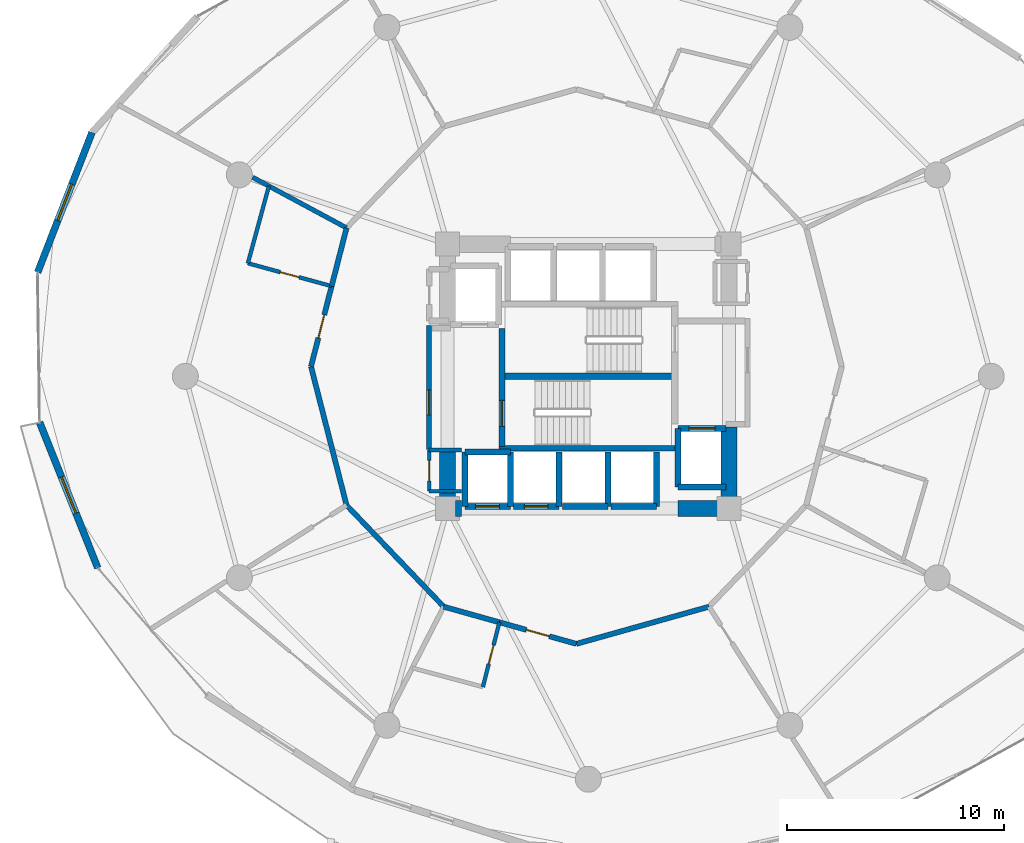
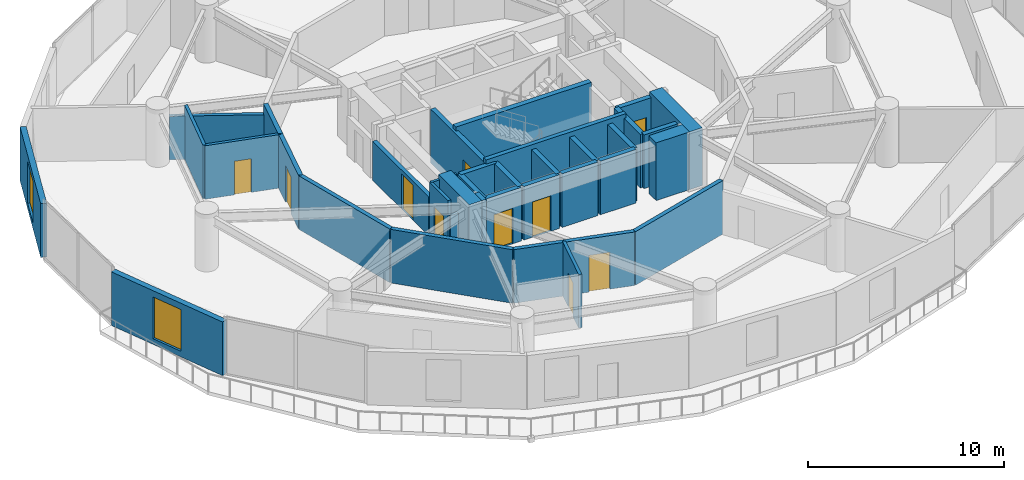
# One storey, part 17 of 23: 37 walls, 10 doors, 2 windows, 12 openings.
"""IFC4 building model written with IfcOpenShell, lengths in metres."""

import ifcopenshell
import ifcopenshell.guid

model = None  # the IFC model being written
_history = None  # IfcOwnerHistory: only IFC2X3 demands one
_inside = {}  # id of a spatial element -> (the spatial element, [elements in it])
_under = {}  # id of a project, library or spatial element -> (it, [spatial elements below it])
_declared = {}  # id of a project -> (the project, [libraries it declares])
_typed = {}  # id of a type object -> (the type object, [elements of that type])
_made_of = {}  # id of a material, layer set ... -> (it, [elements and type objects made of it])


def new_model(schema):
    """Start an empty IFC model of exactly this schema.

    Asked for "IFC4X3", IfcOpenShell would pick the latest addendum, in which some entities
    have other attributes; the version numbers below select the first issue.
    IFC2X3 requires an IfcOwnerHistory on every rooted entity: one is made here for all.
    """
    global model, _history
    if schema == "IFC4X3":
        model = ifcopenshell.file(schema_version=(4, 3, 0, 0))
    else:
        model = ifcopenshell.file(schema=schema)
    _inside.clear()
    _under.clear()
    _declared.clear()
    _typed.clear()
    _made_of.clear()
    _history = None
    if model.schema == "IFC2X3":
        org = make("IfcOrganization", Name="unknown")
        user = make(
            "IfcPersonAndOrganization",
            ThePerson=make("IfcPerson", FamilyName="unknown"),
            TheOrganization=org,
        )
        app = make(
            "IfcApplication",
            ApplicationDeveloper=org,
            Version="unknown",
            ApplicationFullName="unknown",
            ApplicationIdentifier="unknown",
        )
        _history = make(
            "IfcOwnerHistory",
            OwningUser=user,
            OwningApplication=app,
            ChangeAction="ADDED",
            CreationDate=0,
        )
    return model


def make(cls, **values):
    """One entity of the class cls with the attributes given. An attribute that is None is left unset."""
    return model.create_entity(
        cls, **{name: value for name, value in values.items() if value is not None}
    )


def rooted(cls, **values):
    """An entity with a GlobalId (a new one), such as an element, a storey or a relation."""
    return make(cls, GlobalId=ifcopenshell.guid.new(), OwnerHistory=_history, **values)


def si_unit(unit_type, name, prefix=None):
    """IfcSIUnit, for example si_unit("LENGTHUNIT", "METRE", prefix="MILLI")."""
    return make("IfcSIUnit", UnitType=unit_type, Prefix=prefix, Name=name)


def assignment(units):
    """IfcUnitAssignment: the units of a project."""
    return None if units is None else make("IfcUnitAssignment", Units=units)


def point(xyz):
    """IfcCartesianPoint."""
    return None if xyz is None else make("IfcCartesianPoint", Coordinates=xyz)


def direction(xyz):
    """IfcDirection."""
    return None if xyz is None else make("IfcDirection", DirectionRatios=xyz)


def frame(location, z_axis=None, x_axis=None):
    """IfcAxis2Placement3D, a coordinate frame: its origin and axes. An axis left out is left unset."""
    return make(
        "IfcAxis2Placement3D",
        Location=point(location),
        Axis=direction(z_axis),
        RefDirection=direction(x_axis),
    )


def frame_2d(location, x_axis=None):
    """IfcAxis2Placement2D, a coordinate frame in the plane: its origin and x axis."""
    return make(
        "IfcAxis2Placement2D", Location=point(location), RefDirection=direction(x_axis)
    )


def origin():
    """The frame at (0, 0, 0) with its axes left unset."""
    return frame((0.0, 0.0, 0.0))


def place(relative_to, where):
    """IfcLocalPlacement: puts the frame where relative to a parent placement (None: the world)."""
    return make(
        "IfcLocalPlacement", PlacementRelTo=relative_to, RelativePlacement=where
    )


def context(
    kind, dimensions, precision=None, world=None, true_north=None, identifier=None
):
    """IfcGeometricRepresentationContext, for example the 3D "Model" context."""
    return make(
        "IfcGeometricRepresentationContext",
        ContextIdentifier=identifier,
        ContextType=kind,
        CoordinateSpaceDimension=dimensions,
        Precision=precision,
        WorldCoordinateSystem=world,
        TrueNorth=true_north,
    )


def subcontext(parent, identifier, kind, view, scale=None):
    """IfcGeometricRepresentationSubContext, for example "Body" below "Model"."""
    return make(
        "IfcGeometricRepresentationSubContext",
        ContextIdentifier=identifier,
        ContextType=kind,
        ParentContext=parent,
        TargetScale=scale,
        TargetView=view,
    )


def project(units=None, contexts=None):
    """IfcProject with its units and contexts."""
    return rooted(
        "IfcProject",
        Name="project",
        RepresentationContexts=contexts,
        UnitsInContext=assignment(units),
    )


def spatial(cls, under=None, at=None, **own):
    """A site, building, storey or space (cls), placed at a placement, below another one or the project."""
    s = rooted(cls, ObjectPlacement=at, **own)
    if under is not None:
        _under.setdefault(under.id(), (under, []))[1].append(s)
    return s


def profile(cls, at=None, kind="AREA", **sizes):
    """A parametric profile (cls). Its sizes go by their IFC names, for example OverallWidth=200.0."""
    return make(cls, ProfileType=kind, Position=at, **sizes)


def rectangle(**sizes):
    """IfcRectangleProfileDef."""
    return profile("IfcRectangleProfileDef", **sizes)


def extrude(swept, where, along, depth):
    """IfcExtrudedAreaSolid: the profile swept, set in the frame where, extruded along a direction by depth."""
    return make(
        "IfcExtrudedAreaSolid",
        SweptArea=swept,
        Position=where,
        ExtrudedDirection=direction(along),
        Depth=depth,
    )


def shape(context_of_items, identifier, shape_type, items):
    """IfcShapeRepresentation: the items that make up one representation, for example the "Body"."""
    return make(
        "IfcShapeRepresentation",
        ContextOfItems=context_of_items,
        RepresentationIdentifier=identifier,
        RepresentationType=shape_type,
        Items=items,
    )


def material(Name=None, Category=None):
    """IfcMaterial."""
    return make("IfcMaterial", Name=Name, Category=Category)


def layer(
    of_material, thickness, ventilated=None, Name=None, Category=None, Priority=None
):
    """IfcMaterialLayer: one layer of a wall or slab, of a material (None: an air gap)."""
    return make(
        "IfcMaterialLayer",
        Material=of_material,
        LayerThickness=thickness,
        IsVentilated=ventilated,
        Name=Name,
        Category=Category,
        Priority=Priority,
    )


def layer_set(layers, Name=None):
    """IfcMaterialLayerSet."""
    return make("IfcMaterialLayerSet", MaterialLayers=layers, LayerSetName=Name)


def made_of(thing, what):
    """Note that an element or type object is made of a material, layer set ...; save() writes the relation."""
    if what is not None:
        _made_of.setdefault(what.id(), (what, []))[1].append(thing)
    return thing


def type_object(cls, material=None, **own):
    """A type object (cls), such as IfcWallType, which elements share."""
    return made_of(rooted(cls, **own), material)


def element(
    cls,
    number,
    at=None,
    inside=None,
    cuts=None,
    type_object=None,
    material=None,
    context=None,
    identifier="Body",
    shape_type=None,
    held_by="IfcProductDefinitionShape",
    body=None,
    shapes=None,
    **own,
):
    """One element of the class cls, such as IfcWall. Its Tag is "e" and its number.

    at: its placement. inside: the storey or other place that contains it. cuts: it is an
    opening in that element (IfcRelVoidsElement). A single representation is given by context,
    identifier, shape_type and body (its items); several are given by shapes. held_by: the class
    of the entity that holds the representations. save() writes the other relations.
    """
    e = rooted(cls, Tag="e%d" % number, ObjectPlacement=at, **own)
    if body is not None:
        shapes = [shape(context, identifier, shape_type, body)]
    if shapes is not None:
        e.Representation = make(held_by, Representations=shapes)
    if inside is not None:
        _inside.setdefault(inside.id(), (inside, []))[1].append(e)
    if cuts is not None:
        rooted(
            "IfcRelVoidsElement", RelatingBuildingElement=cuts, RelatedOpeningElement=e
        )
    if type_object is not None:
        _typed.setdefault(type_object.id(), (type_object, []))[1].append(e)
    return made_of(e, material)


def fill(opening, filler):
    """IfcRelFillsElement: the door or window that sits in an opening."""
    return rooted(
        "IfcRelFillsElement",
        RelatingOpeningElement=opening,
        RelatedBuildingElement=filler,
    )


def aggregate(whole, parts):
    """IfcRelAggregates: a whole, such as a stair, and the parts it consists of."""
    return rooted("IfcRelAggregates", RelatingObject=whole, RelatedObjects=parts)


def save(model, path):
    """Write the relations noted so far, then the file.

    IfcRelAggregates (storeys below a building ...), IfcRelContainedInSpatialStructure (elements
    in a storey), IfcRelDefinesByType, IfcRelAssociatesMaterial and IfcRelDeclares: one each for
    every whole, place, type object, material and project.
    """
    for whole, parts in _under.values():
        aggregate(whole, parts)
    for where, things in _inside.values():
        rooted(
            "IfcRelContainedInSpatialStructure",
            RelatedElements=things,
            RelatingStructure=where,
        )
    for kind, things in _typed.values():
        rooted("IfcRelDefinesByType", RelatedObjects=things, RelatingType=kind)
    for what, things in _made_of.values():
        rooted("IfcRelAssociatesMaterial", RelatedObjects=things, RelatingMaterial=what)
    for by, libraries in _declared.values():
        rooted("IfcRelDeclares", RelatingContext=by, RelatedDefinitions=libraries)
    model.write(path)


model = new_model("IFC4")

# Units and contexts
model_context = context("Model", 3, precision=1e-05, world=origin(), true_north=direction((0.0, 1.0)))
body_context = subcontext(model_context, "Body", "Model", "MODEL_VIEW")
ifc_project = project(units=[si_unit("LENGTHUNIT", "METRE"), si_unit("AREAUNIT", "SQUARE_METRE"), si_unit("VOLUMEUNIT", "CUBIC_METRE"), si_unit("PLANEANGLEUNIT", "RADIAN"), si_unit("MASSUNIT", "GRAM", prefix="KILO")], contexts=[model_context])

# Site, building, storey
site_placement = place(None, origin())
site = spatial("IfcSite", under=ifc_project, at=site_placement, CompositionType="ELEMENT")
building_placement = place(site_placement, origin())
building = spatial("IfcBuilding", under=site, at=building_placement, Name="Solvirekh Grand Hotel", CompositionType="ELEMENT")
storey_placement = place(building_placement, frame((0.0, 0.0, 46.39990234375)))
storey = spatial("IfcBuildingStorey", under=building, at=storey_placement, Name="L10", CompositionType="ELEMENT", Elevation=46.39990234375)

# Wall
ifc_material_1 = material(Name="Concrete C50/60", Category="concrete")
ifc_layer_1 = layer(ifc_material_1, 0.35009765625)
ifc_layer_set_1 = layer_set([ifc_layer_1], Name="Concrete C50/60")
wall_type_1 = type_object("IfcWallType", Name="CoreDivWall_RC350", PredefinedType="SOLIDWALL", material=ifc_layer_set_1)
wall_1_placement = place(storey_placement, frame((-4.1298828125, -3.324951171875, 0.0), z_axis=(0.0, 0.0, 1.0), x_axis=(1.0, 0.0, 0.0)))
element("IfcWall", 1, at=wall_1_placement, inside=storey, type_object=wall_type_1, Name="L10 core stair box wall ST-S", PredefinedType="SOLIDWALL", context=body_context, shape_type="SweptSolid", body=[
    extrude(rectangle(XDim=8.259765625, YDim=0.25, at=frame_2d((4.1298828125, 0.0))), origin(), (0.0, 0.0, 1.0), 3.60009765625),
])

# Wall, opening, door
ifc_material_2 = material(Name="Concrete C40/50", Category="concrete")
ifc_layer_2 = layer(ifc_material_2, 0.280029296875)
ifc_layer_set_2 = layer_set([ifc_layer_2], Name="Concrete C40/50")
wall_type_2 = type_object("IfcWallType", Name="CoreShaftWall_RC280", PredefinedType="SOLIDWALL", material=ifc_layer_set_2)
wall_2_placement = place(storey_placement, frame((-5.699951171875, -6.0, 0.0), z_axis=(0.0, 0.0, 1.0), x_axis=(1.0, 0.0, 0.0)))
wall_2 = element("IfcWall", 2, at=wall_2_placement, inside=storey, type_object=wall_type_2, Name="L10 LP-1 hoistway S wall", PredefinedType="SOLIDWALL", context=body_context, shape_type="SweptSolid", body=[
    extrude(rectangle(XDim=2.099853515625, YDim=0.280029296875, at=frame_2d((1.0498046875, 0.0))), origin(), (0.0, 0.0, 1.0), 3.340087890625),
])
opening_1_placement = place(wall_2_placement, frame((0.5, 0.0, 0.0)))
opening_1 = element("IfcOpeningElement", 3, at=opening_1_placement, cuts=wall_2, Name="Opening LD01", PredefinedType="OPENING", context=body_context, shape_type="SweptSolid", body=[
    extrude(rectangle(XDim=1.10009765625, YDim=2.199951171875, at=frame_2d((0.550048828125, 1.10009765625))), frame((0.0, 0.14990234375, 0.0), z_axis=(0.0, -1.0, 0.0), x_axis=(1.0, 0.0, 0.0)), (0.0, 0.0, 1.0), 0.300048828125),
])
ifc_material_3 = material(Name="Fire-Rated Steel Door Assembly", Category="steel")
door_type_1 = type_object("IfcDoorType", Name="Door_LiftLanding_1100X2200", OperationType="SLIDING_TO_LEFT", PredefinedType="DOOR", material=ifc_material_3)
door_1_placement = place(opening_1_placement, origin())
door_1 = element("IfcDoor", 4, at=door_1_placement, inside=storey, type_object=door_type_1, Name="L10 LP-1 sliding lift landing door", OperationType="SLIDING_TO_LEFT", OverallHeight=2.199951171875, OverallWidth=1.10009765625, PredefinedType="DOOR", context=body_context, shape_type="SweptSolid", body=[
    extrude(rectangle(XDim=1.10009765625, YDim=2.199951171875, at=frame_2d((0.550048828125, 1.10009765625))), frame((0.0, 0.02490234375, 0.0), z_axis=(0.0, -1.0, 0.0), x_axis=(1.0, 0.0, 0.0)), (0.0, 0.0, 1.0), 0.050048828125),
])
fill(opening_1, door_1)

# Walls
wall_3_placement = place(storey_placement, frame((-3.60009765625, -3.5, 0.0), z_axis=(0.0, 0.0, 1.0), x_axis=(-1.0, 0.0, 0.0)))
element("IfcWall", 5, at=wall_3_placement, inside=storey, type_object=wall_type_2, Name="L10 LP-1 hoistway N wall", PredefinedType="SOLIDWALL", context=body_context, shape_type="SweptSolid", body=[
    extrude(rectangle(XDim=2.099853515625, YDim=0.280029296875, at=frame_2d((1.0498046875, 0.0))), origin(), (0.0, 0.0, 1.0), 3.340087890625),
])
for number, where, z_axis, x_axis, name in (
    (6, (-5.699951171875, -3.5, 0.0), (0.0, 0.0, 1.0), (0.0, -1.0, 0.0), "L10 LP-1 hoistway W wall"),
    (7, (-3.60009765625, -6.0, 0.0), (0.0, 0.0, 1.0), (0.0, 1.0, 0.0), "L10 LP-1 hoistway E wall"),
):
    element("IfcWall", number, at=place(storey_placement, frame(where, z_axis=z_axis, x_axis=x_axis)), inside=storey, type_object=wall_type_2, Name=name, PredefinedType="SOLIDWALL", context=body_context, shape_type="SweptSolid", body=[
        extrude(rectangle(XDim=2.5, YDim=0.280029296875, at=frame_2d((1.25, 0.0))), origin(), (0.0, 0.0, 1.0), 3.340087890625),
    ])

# Wall, opening, door
wall_4_placement = place(storey_placement, frame((-3.449951171875, -6.0, 0.0), z_axis=(0.0, 0.0, 1.0), x_axis=(1.0, 0.0, 0.0)))
wall_4 = element("IfcWall", 8, at=wall_4_placement, inside=storey, type_object=wall_type_2, Name="L10 LP-2 hoistway S wall", PredefinedType="SOLIDWALL", context=body_context, shape_type="SweptSolid", body=[
    extrude(rectangle(XDim=2.099853515625, YDim=0.280029296875, at=frame_2d((1.0498046875, 0.0))), origin(), (0.0, 0.0, 1.0), 3.340087890625),
])
opening_2_placement = place(wall_4_placement, frame((0.5, 0.0, 0.0)))
opening_2 = element("IfcOpeningElement", 9, at=opening_2_placement, cuts=wall_4, Name="Opening LD01", PredefinedType="OPENING", context=body_context, shape_type="SweptSolid", body=[
    extrude(rectangle(XDim=1.10009765625, YDim=2.199951171875, at=frame_2d((0.550048828125, 1.10009765625))), frame((0.0, 0.14990234375, 0.0), z_axis=(0.0, -1.0, 0.0), x_axis=(1.0, 0.0, 0.0)), (0.0, 0.0, 1.0), 0.300048828125),
])
door_2_placement = place(opening_2_placement, origin())
door_2 = element("IfcDoor", 10, at=door_2_placement, inside=storey, type_object=door_type_1, Name="L10 LP-2 sliding lift landing door", OperationType="SLIDING_TO_LEFT", OverallHeight=2.199951171875, OverallWidth=1.10009765625, PredefinedType="DOOR", context=body_context, shape_type="SweptSolid", body=[
    extrude(rectangle(XDim=1.10009765625, YDim=2.199951171875, at=frame_2d((0.550048828125, 1.10009765625))), frame((0.0, 0.02490234375, 0.0), z_axis=(0.0, -1.0, 0.0), x_axis=(1.0, 0.0, 0.0)), (0.0, 0.0, 1.0), 0.050048828125),
])
fill(opening_2, door_2)

# Walls
wall_5_placement = place(storey_placement, frame((-1.35009765625, -6.0, 0.0), z_axis=(0.0, 0.0, 1.0), x_axis=(0.0, 1.0, 0.0)))
element("IfcWall", 11, at=wall_5_placement, inside=storey, type_object=wall_type_2, Name="L10 LP-2 hoistway E wall", PredefinedType="SOLIDWALL", context=body_context, shape_type="SweptSolid", body=[
    extrude(rectangle(XDim=2.5, YDim=0.280029296875, at=frame_2d((1.25, 0.0))), origin(), (0.0, 0.0, 1.0), 3.340087890625),
])
wall_6_placement = place(storey_placement, frame((-1.199951171875, -6.0, 0.0), z_axis=(0.0, 0.0, 1.0), x_axis=(1.0, 0.0, 0.0)))
element("IfcWall", 12, at=wall_6_placement, inside=storey, type_object=wall_type_2, Name="L10 MP-1 hoistway S wall", PredefinedType="SOLIDWALL", context=body_context, shape_type="SweptSolid", body=[
    extrude(rectangle(XDim=2.099853515625, YDim=0.280029296875, at=frame_2d((1.0498046875, 0.0))), origin(), (0.0, 0.0, 1.0), 3.340087890625),
])
wall_7_placement = place(storey_placement, frame((0.89990234375, -6.0, 0.0), z_axis=(0.0, 0.0, 1.0), x_axis=(0.0, 1.0, 0.0)))
element("IfcWall", 13, at=wall_7_placement, inside=storey, type_object=wall_type_2, Name="L10 MP-1 hoistway E wall", PredefinedType="SOLIDWALL", context=body_context, shape_type="SweptSolid", body=[
    extrude(rectangle(XDim=2.5, YDim=0.280029296875, at=frame_2d((1.25, 0.0))), origin(), (0.0, 0.0, 1.0), 3.340087890625),
])
wall_8_placement = place(storey_placement, frame((1.050048828125, -6.0, 0.0), z_axis=(0.0, 0.0, 1.0), x_axis=(1.0, 0.0, 0.0)))
element("IfcWall", 14, at=wall_8_placement, inside=storey, type_object=wall_type_2, Name="L10 MP-2 hoistway S wall", PredefinedType="SOLIDWALL", context=body_context, shape_type="SweptSolid", body=[
    extrude(rectangle(XDim=2.099853515625, YDim=0.280029296875, at=frame_2d((1.0498046875, 0.0))), origin(), (0.0, 0.0, 1.0), 3.340087890625),
])
wall_9_placement = place(storey_placement, frame((3.14990234375, -6.0, 0.0), z_axis=(0.0, 0.0, 1.0), x_axis=(0.0, 1.0, 0.0)))
element("IfcWall", 15, at=wall_9_placement, inside=storey, type_object=wall_type_2, Name="L10 MP-2 hoistway E wall", PredefinedType="SOLIDWALL", context=body_context, shape_type="SweptSolid", body=[
    extrude(rectangle(XDim=2.5, YDim=0.280029296875, at=frame_2d((1.25, 0.0))), origin(), (0.0, 0.0, 1.0), 3.340087890625),
])
wall_10_placement = place(storey_placement, frame((4.14990234375, -5.10009765625, 0.0), z_axis=(0.0, 0.0, 1.0), x_axis=(1.0, 0.0, 0.0)))
element("IfcWall", 16, at=wall_10_placement, inside=storey, type_object=wall_type_2, Name="L10 FL-2 hoistway S wall", PredefinedType="SOLIDWALL", context=body_context, shape_type="SweptSolid", body=[
    extrude(rectangle(XDim=2.2001953125, YDim=0.280029296875, at=frame_2d((1.10009765625, 0.0))), origin(), (0.0, 0.0, 1.0), 3.340087890625),
])

# Wall, opening, door
wall_11_placement = place(storey_placement, frame((6.35009765625, -2.39990234375, 0.0), z_axis=(0.0, 0.0, 1.0), x_axis=(-1.0, 0.0, 0.0)))
wall_11 = element("IfcWall", 17, at=wall_11_placement, inside=storey, type_object=wall_type_2, Name="L10 FL-2 hoistway N wall", PredefinedType="SOLIDWALL", context=body_context, shape_type="SweptSolid", body=[
    extrude(rectangle(XDim=2.2001953125, YDim=0.280029296875, at=frame_2d((1.10009765625, 0.0))), origin(), (0.0, 0.0, 1.0), 3.340087890625),
])
opening_3_placement = place(wall_11_placement, frame((0.5, 0.0, 0.0)))
opening_3 = element("IfcOpeningElement", 18, at=opening_3_placement, cuts=wall_11, Name="Opening LD02", PredefinedType="OPENING", context=body_context, shape_type="SweptSolid", body=[
    extrude(rectangle(XDim=1.199951171875, YDim=2.199951171875, at=frame_2d((0.60009765625, 1.10009765625))), frame((0.0, 0.14990234375, 0.0), z_axis=(0.0, -1.0, 0.0), x_axis=(1.0, 0.0, 0.0)), (0.0, 0.0, 1.0), 0.300048828125),
])
door_type_2 = type_object("IfcDoorType", Name="Door_LiftFF_1200X2200", OperationType="SLIDING_TO_LEFT", PredefinedType="DOOR", material=ifc_material_3)
door_3_placement = place(opening_3_placement, origin())
door_3 = element("IfcDoor", 19, at=door_3_placement, inside=storey, type_object=door_type_2, Name="L10 FL-2 sliding lift landing door", OperationType="SLIDING_TO_LEFT", OverallHeight=2.199951171875, OverallWidth=1.199951171875, PredefinedType="DOOR", context=body_context, shape_type="SweptSolid", body=[
    extrude(rectangle(XDim=1.199951171875, YDim=2.199951171875, at=frame_2d((0.60009765625, 1.10009765625))), frame((0.0, 0.02490234375, 0.0), z_axis=(0.0, -1.0, 0.0), x_axis=(1.0, 0.0, 0.0)), (0.0, 0.0, 1.0), 0.050048828125),
])
fill(opening_3, door_3)

# Wall
wall_12_placement = place(storey_placement, frame((4.14990234375, -2.39990234375, 0.0), z_axis=(0.0, 0.0, 1.0), x_axis=(0.0, -1.0, 0.0)))
element("IfcWall", 20, at=wall_12_placement, inside=storey, type_object=wall_type_2, Name="L10 FL-2 hoistway W wall", PredefinedType="SOLIDWALL", context=body_context, shape_type="SweptSolid", body=[
    extrude(rectangle(XDim=2.7001953125, YDim=0.280029296875, at=frame_2d((1.35009765625, 0.0))), origin(), (0.0, 0.0, 1.0), 3.340087890625),
])

# Wall, opening, door
wall_13_placement = place(storey_placement, frame((-3.989990234375, -3.25, 0.0), z_axis=(0.0, 0.0, 1.0), x_axis=(0.0, 1.0, 0.0)))
wall_13 = element("IfcWall", 21, at=wall_13_placement, inside=storey, type_object=wall_type_2, Name="L10 west stair landing enclosure wall", PredefinedType="SOLIDWALL", context=body_context, shape_type="SweptSolid", body=[
    extrude(rectangle(XDim=5.4599609375, YDim=0.280029296875, at=frame_2d((2.72998046875, 0.0))), origin(), (0.0, 0.0, 1.0), 3.340087890625),
])
opening_4_placement = place(wall_13_placement, frame((0.93701171875, 0.0, 0.0)))
opening_4 = element("IfcOpeningElement", 22, at=opening_4_placement, cuts=wall_13, Name="Opening D05", PredefinedType="OPENING", context=body_context, shape_type="SweptSolid", body=[
    extrude(rectangle(XDim=1.199951171875, YDim=2.199951171875, at=frame_2d((0.60009765625, 1.10009765625))), frame((0.0, 0.14990234375, 0.0), z_axis=(0.0, -1.0, 0.0), x_axis=(1.0, 0.0, 0.0)), (0.0, 0.0, 1.0), 0.300048828125),
])
door_type_3 = type_object("IfcDoorType", Name="Door_StairCore_1200X2200", OperationType="NOTDEFINED", PredefinedType="DOOR", material=ifc_material_3)
door_4_placement = place(opening_4_placement, origin())
door_4 = element("IfcDoor", 23, at=door_4_placement, inside=storey, type_object=door_type_3, Name="L10 exit stair ST-1 fire door", OperationType="SINGLE_SWING_RIGHT", OverallHeight=2.199951171875, OverallWidth=1.199951171875, PredefinedType="DOOR", context=body_context, shape_type="SweptSolid", body=[
    extrude(rectangle(XDim=1.199951171875, YDim=2.199951171875, at=frame_2d((0.60009765625, 1.10009765625))), frame((0.0, 0.02490234375, 0.0), z_axis=(0.0, -1.0, 0.0), x_axis=(1.0, 0.0, 0.0)), (0.0, 0.0, 1.0), 0.050048828125),
])
fill(opening_4, door_4)

# Walls
ifc_material_4 = material(Name="Concrete C60/75", Category="concrete")
ifc_layer_3 = layer(ifc_material_4, 0.75)
ifc_layer_set_3 = layer_set([ifc_layer_3], Name="Concrete C60/75")
wall_type_3 = type_object("IfcWallType", Name="CoreWall_RC750", PredefinedType="SHEAR", material=ifc_layer_set_3)
wall_14_placement = place(storey_placement, frame((-3.989990234375, 0.0, 0.0), z_axis=(0.0, 0.0, 1.0), x_axis=(1.0, 0.0, 0.0)))
element("IfcWall", 24, at=wall_14_placement, inside=storey, type_object=wall_type_3, Name="L10 central stair-spine shear wall", PredefinedType="SHEAR", context=body_context, shape_type="SweptSolid", body=[
    extrude(rectangle(XDim=7.97998046875, YDim=0.300048828125, at=frame_2d((3.989990234375, 0.0))), origin(), (0.0, 0.0, 1.0), 3.60009765625),
])
wall_15_placement = place(storey_placement, frame((-6.125, -6.10009765625, 0.0), z_axis=(0.0, 0.0, 1.0), x_axis=(1.0, 0.0, 0.0)))
element("IfcWall", 25, at=wall_15_placement, inside=storey, type_object=wall_type_3, Name="L10 core corner shear wall SW-S", PredefinedType="SHEAR", context=body_context, shape_type="SweptSolid", body=[
    extrude(rectangle(XDim=0.27490234375, YDim=0.75, at=frame_2d((0.137451171875, 0.0))), origin(), (0.0, 0.0, 1.0), 3.60009765625),
])
wall_16_placement = place(storey_placement, frame((4.14990234375, -6.10009765625, 0.0), z_axis=(0.0, 0.0, 1.0), x_axis=(1.0, 0.0, 0.0)))
element("IfcWall", 26, at=wall_16_placement, inside=storey, type_object=wall_type_3, Name="L10 core corner shear wall SE-S", PredefinedType="SHEAR", context=body_context, shape_type="SweptSolid", body=[
    extrude(rectangle(XDim=1.97509765625, YDim=0.75, at=frame_2d((0.987548828125, 0.0))), origin(), (0.0, 0.0, 1.0), 3.60009765625),
])
wall_17_placement = place(storey_placement, frame((-6.5, -6.47509765625, 0.0), z_axis=(0.0, 0.0, 1.0), x_axis=(0.0, 1.0, 0.0)))
element("IfcWall", 27, at=wall_17_placement, inside=storey, type_object=wall_type_3, Name="L10 core corner shear wall WS-W", PredefinedType="SHEAR", context=body_context, shape_type="SweptSolid", body=[
    extrude(rectangle(XDim=3.125, YDim=0.75, at=frame_2d((1.5625, 0.0))), origin(), (0.0, 0.0, 1.0), 3.60009765625),
])
wall_18_placement = place(storey_placement, frame((6.5, -6.47509765625, 0.0), z_axis=(0.0, 0.0, 1.0), x_axis=(0.0, 1.0, 0.0)))
element("IfcWall", 28, at=wall_18_placement, inside=storey, type_object=wall_type_3, Name="L10 core corner shear wall ES-E", PredefinedType="SHEAR", context=body_context, shape_type="SweptSolid", body=[
    extrude(rectangle(XDim=4.125, YDim=0.75, at=frame_2d((2.0625, 0.0))), origin(), (0.0, 0.0, 1.0), 3.60009765625),
])

# Wall, opening, window
ifc_material_5 = material(Name="Precast concrete C45/55", Category="concrete")
ifc_layer_4 = layer(ifc_material_5, 0.320068359375)
ifc_layer_set_4 = layer_set([ifc_layer_4], Name="Precast concrete C45/55")
wall_type_4 = type_object("IfcWallType", Name="ExtLobbyWall_RC320", PredefinedType="SOLIDWALL", material=ifc_layer_set_4)
wall_19_placement = place(storey_placement, frame((-25.419921875, 4.800048828125, 0.0), z_axis=(0.0, 0.0, 1.0), x_axis=(0.362298249398, 0.93206221814, 0.0)))
wall_19 = element("IfcWall", 29, at=wall_19_placement, inside=storey, type_object=wall_type_4, Name="L10 exterior structural wall chord 10", PredefinedType="SOLIDWALL", context=body_context, shape_type="SweptSolid", body=[
    extrude(rectangle(XDim=6.92529296875, YDim=0.320068359375, at=frame_2d((3.462646484375, 0.0))), origin(), (0.0, 0.0, 1.0), 3.340087890625),
])
opening_5_placement = place(wall_19_placement, frame((2.56298828125, 0.0, 0.35009765625)))
opening_5 = element("IfcOpeningElement", 30, at=opening_5_placement, cuts=wall_19, Name="Opening W02", PredefinedType="OPENING", context=body_context, shape_type="SweptSolid", body=[
    extrude(rectangle(XDim=1.800048828125, YDim=2.60009765625, at=frame_2d((0.89990234375, 1.300048828125))), frame((0.0, 0.169921875, 0.0), z_axis=(0.0, -1.0, 0.0), x_axis=(1.0, 0.0, 0.0)), (0.0, 0.0, 1.0), 0.340087890625),
])
ifc_material_6 = material(Name="Low-E Tinted Bronze Laminated Glass", Category="aluminium")
window_type = type_object("IfcWindowType", Name="Win_LobbyExt_1800X2600", PartitioningType="SINGLE_PANEL", PredefinedType="WINDOW", material=ifc_material_6)
window_1_placement = place(opening_5_placement, origin())
window_1 = element("IfcWindow", 31, at=window_1_placement, inside=storey, type_object=window_type, Name="L10 panoramic bronze-framed window 10", OverallHeight=2.60009765625, OverallWidth=1.800048828125, PartitioningType="SINGLE_PANEL", PredefinedType="WINDOW", context=body_context, shape_type="SweptSolid", body=[
    extrude(rectangle(XDim=1.800048828125, YDim=2.60009765625, at=frame_2d((0.89990234375, 1.300048828125))), frame((0.0, 0.030029296875, 0.0), z_axis=(0.0, -1.0, 0.0), x_axis=(1.0, 0.0, 0.0)), (0.0, 0.0, 1.0), 0.06005859375),
])
fill(opening_5, window_1)

wall_20_placement = place(storey_placement, frame((-22.64404296875, -8.842041015625, 0.0), z_axis=(0.0, 0.0, 1.0), x_axis=(-0.371035671342, 0.928618614175, 0.0)))
wall_20 = element("IfcWall", 32, at=wall_20_placement, inside=storey, type_object=wall_type_4, Name="L10 exterior structural wall chord 12", PredefinedType="SOLIDWALL", context=body_context, shape_type="SweptSolid", body=[
    extrude(rectangle(XDim=7.2333984375, YDim=0.320068359375, at=frame_2d((3.61669921875, 0.0))), origin(), (0.0, 0.0, 1.0), 3.340087890625),
])
opening_6_placement = place(wall_20_placement, frame((2.717041015625, 0.0, 0.35009765625)))
opening_6 = element("IfcOpeningElement", 33, at=opening_6_placement, cuts=wall_20, Name="Opening W02", PredefinedType="OPENING", context=body_context, shape_type="SweptSolid", body=[
    extrude(rectangle(XDim=1.800048828125, YDim=2.60009765625, at=frame_2d((0.89990234375, 1.300048828125))), frame((0.0, 0.169921875, 0.0), z_axis=(0.0, -1.0, 0.0), x_axis=(1.0, 0.0, 0.0)), (0.0, 0.0, 1.0), 0.340087890625),
])
window_2_placement = place(opening_6_placement, origin())
window_2 = element("IfcWindow", 34, at=window_2_placement, inside=storey, type_object=window_type, Name="L10 panoramic bronze-framed window 12", OverallHeight=2.60009765625, OverallWidth=1.800048828125, PartitioningType="SINGLE_PANEL", PredefinedType="WINDOW", context=body_context, shape_type="SweptSolid", body=[
    extrude(rectangle(XDim=1.800048828125, YDim=2.60009765625, at=frame_2d((0.89990234375, 1.300048828125))), frame((0.0, 0.030029296875, 0.0), z_axis=(0.0, -1.0, 0.0), x_axis=(1.0, 0.0, 0.0)), (0.0, 0.0, 1.0), 0.06005859375),
])
fill(opening_6, window_2)

# Walls
ifc_material_7 = material(Name="Acoustic Gypsum Partition Assembly")
ifc_layer_5 = layer(ifc_material_7, 0.1650390625)
ifc_layer_set_5 = layer_set([ifc_layer_5], Name="Acoustic Gypsum Partition Assembly")
wall_type_5 = type_object("IfcWallType", Name="Part_BOH_165", PredefinedType="PARTITIONING", material=ifc_layer_set_5)
wall_21_placement = place(storey_placement, frame((-7.35009765625, -5.300048828125, 0.0), z_axis=(0.0, 0.0, 1.0), x_axis=(1.0, 0.0, 0.0)))
element("IfcWall", 35, at=wall_21_placement, inside=storey, type_object=wall_type_5, Name="L10 L10 Butler Service Closet wall 1", PredefinedType="PARTITIONING", context=body_context, shape_type="SweptSolid", body=[
    extrude(rectangle(XDim=1.5, YDim=0.1650390625, at=frame_2d((0.75, 0.0))), origin(), (0.0, 0.0, 1.0), 2.425048828125),
])
wall_22_placement = place(storey_placement, frame((-5.85009765625, -3.39990234375, 0.0), z_axis=(0.0, 0.0, 1.0), x_axis=(-1.0, 0.0, 0.0)))
element("IfcWall", 36, at=wall_22_placement, inside=storey, type_object=wall_type_5, Name="L10 L10 Butler Service Closet wall 3", PredefinedType="PARTITIONING", context=body_context, shape_type="SweptSolid", body=[
    extrude(rectangle(XDim=1.5, YDim=0.1650390625, at=frame_2d((0.75, 0.0))), origin(), (0.0, 0.0, 1.0), 3.340087890625),
])

# Wall, opening, door
wall_23_placement = place(storey_placement, frame((-7.35009765625, -3.39990234375, 0.0), z_axis=(0.0, 0.0, 1.0), x_axis=(0.0, -1.0, 0.0)))
wall_23 = element("IfcWall", 37, at=wall_23_placement, inside=storey, type_object=wall_type_5, Name="L10 L10 Butler Service Closet wall 4", PredefinedType="PARTITIONING", context=body_context, shape_type="SweptSolid", body=[
    extrude(rectangle(XDim=1.900146484375, YDim=0.1650390625, at=frame_2d((0.9501953125, 0.0))), origin(), (0.0, 0.0, 1.0), 3.340087890625),
])
opening_7_placement = place(wall_23_placement, frame((0.47509765625, 0.0, 0.0)))
opening_7 = element("IfcOpeningElement", 38, at=opening_7_placement, cuts=wall_23, Name="Opening D10", PredefinedType="OPENING", context=body_context, shape_type="SweptSolid", body=[
    extrude(rectangle(XDim=0.949951171875, YDim=2.10009765625, at=frame_2d((0.47509765625, 1.050048828125))), frame((0.0, 0.092529296875, 0.0), z_axis=(0.0, -1.0, 0.0), x_axis=(1.0, 0.0, 0.0)), (0.0, 0.0, 1.0), 0.18505859375),
])
ifc_material_8 = material(Name="Anodized Bronze Aluminium 6063-T6", Category="aluminium")
door_type_4 = type_object("IfcDoorType", Name="Door_RoomInt_950X2100", OperationType="NOTDEFINED", PredefinedType="DOOR", material=ifc_material_8)
door_5_placement = place(opening_7_placement, origin())
door_5 = element("IfcDoor", 39, at=door_5_placement, inside=storey, type_object=door_type_4, Name="L10 L10 Butler Service Closet door", OperationType="SINGLE_SWING_LEFT", OverallHeight=2.10009765625, OverallWidth=0.949951171875, PredefinedType="DOOR", context=body_context, shape_type="SweptSolid", body=[
    extrude(rectangle(XDim=0.949951171875, YDim=2.10009765625, at=frame_2d((0.47509765625, 1.050048828125))), frame((0.0, 0.02490234375, 0.0), z_axis=(0.0, -1.0, 0.0), x_axis=(1.0, 0.0, 0.0)), (0.0, 0.0, 1.0), 0.050048828125),
])
fill(opening_7, door_5)

ifc_layer_6 = layer(ifc_material_7, 0.239990234375)
ifc_layer_set_6 = layer_set([ifc_layer_6], Name="Acoustic Gypsum Partition Assembly")
wall_type_6 = type_object("IfcWallType", Name="Part_Corridor_240", PredefinedType="PARTITIONING", material=ifc_layer_set_6)
wall_24_placement = place(storey_placement, frame((-7.35009765625, -3.3798828125, 0.0), z_axis=(0.0, 0.0, 1.0), x_axis=(0.0, 1.0, 0.0)))
wall_24 = element("IfcWall", 40, at=wall_24_placement, inside=storey, type_object=wall_type_6, Name="L10 west firefighting lobby smoke screen wall", PredefinedType="PARTITIONING", context=body_context, shape_type="SweptSolid", body=[
    extrude(rectangle(XDim=5.719970703125, YDim=0.239990234375, at=frame_2d((2.85986328125, 0.0))), origin(), (0.0, 0.0, 1.0), 2.425048828125),
])
opening_8_placement = place(wall_24_placement, frame((1.59912109375, 0.0, 0.0)))
opening_8 = element("IfcOpeningElement", 41, at=opening_8_placement, cuts=wall_24, Name="Opening D06", PredefinedType="OPENING", context=body_context, shape_type="SweptSolid", body=[
    extrude(rectangle(XDim=1.14990234375, YDim=2.199951171875, at=frame_2d((0.574951171875, 1.10009765625))), frame((0.0, 0.1298828125, 0.0), z_axis=(0.0, -1.0, 0.0), x_axis=(1.0, 0.0, 0.0)), (0.0, 0.0, 1.0), 0.260009765625),
])
door_type_5 = type_object("IfcDoorType", Name="Door_FFLobby_1150X2200", OperationType="NOTDEFINED", PredefinedType="DOOR", material=ifc_material_3)
door_6_placement = place(opening_8_placement, origin())
door_6 = element("IfcDoor", 42, at=door_6_placement, inside=storey, type_object=door_type_5, Name="L10 west firefighting lobby smoke door", OperationType="SINGLE_SWING_RIGHT", OverallHeight=2.199951171875, OverallWidth=1.14990234375, PredefinedType="DOOR", context=body_context, shape_type="SweptSolid", body=[
    extrude(rectangle(XDim=1.14990234375, YDim=2.199951171875, at=frame_2d((0.574951171875, 1.10009765625))), frame((0.0, 0.02490234375, 0.0), z_axis=(0.0, -1.0, 0.0), x_axis=(1.0, 0.0, 0.0)), (0.0, 0.0, 1.0), 0.050048828125),
])
fill(opening_8, door_6)

# Walls
wall_25_placement = place(storey_placement, frame((-11.158935546875, 6.85009765625, 0.0), z_axis=(0.0, 0.0, 1.0), x_axis=(-0.248286444079, -0.968686658154, 0.0)))
element("IfcWall", 43, at=wall_25_placement, inside=storey, type_object=wall_type_6, Name="L10 En-suite Bathroom 1202 corridor backing wall", PredefinedType="PARTITIONING", context=body_context, shape_type="SweptSolid", body=[
    extrude(rectangle(XDim=2.77490234375, YDim=0.239990234375, at=frame_2d((1.387451171875, 0.0))), origin(), (0.0, 0.0, 1.0), 3.340087890625),
])
wall_26_placement = place(storey_placement, frame((-12.800048828125, 0.449951171875, 0.0), z_axis=(0.0, 0.0, 1.0), x_axis=(0.24839135289, -0.968659762667, 0.0)))
element("IfcWall", 44, at=wall_26_placement, inside=storey, type_object=wall_type_6, Name="L10 Diplomatic Suite 1202 Living Room corridor wall 1", PredefinedType="PARTITIONING", context=body_context, shape_type="SweptSolid", body=[
    extrude(rectangle(XDim=6.60693359375, YDim=0.239990234375, at=frame_2d((3.303466796875, 0.0))), origin(), (0.0, 0.0, 1.0), 3.340087890625),
])

# Wall, opening, door
wall_27_placement = place(storey_placement, frame((-11.847900390625, 4.162109375, 0.0), z_axis=(0.0, 0.0, 1.0), x_axis=(-0.248451984896, -0.968644212909, 0.0)))
wall_27 = element("IfcWall", 45, at=wall_27_placement, inside=storey, type_object=wall_type_6, Name="L10 Diplomatic Suite 1202 Living Room entrance wall", PredefinedType="PARTITIONING", context=body_context, shape_type="SweptSolid", body=[
    extrude(rectangle(XDim=3.832275390625, YDim=0.239990234375, at=frame_2d((1.916015625, 0.0))), origin(), (0.0, 0.0, 1.0), 3.340087890625),
])
opening_9_placement = place(wall_27_placement, frame((1.365966796875, 0.0, 0.0)))
opening_9 = element("IfcOpeningElement", 46, at=opening_9_placement, cuts=wall_27, Name="Opening D08", PredefinedType="OPENING", context=body_context, shape_type="SweptSolid", body=[
    extrude(rectangle(XDim=1.10009765625, YDim=2.300048828125, at=frame_2d((0.550048828125, 1.14990234375))), frame((0.0, 0.1298828125, 0.0), z_axis=(0.0, -1.0, 0.0), x_axis=(1.0, 0.0, 0.0)), (0.0, 0.0, 1.0), 0.260009765625),
])
door_type_6 = type_object("IfcDoorType", Name="Door_SuiteEntry_1100X2300", OperationType="NOTDEFINED", PredefinedType="DOOR", material=ifc_material_3)
door_7_placement = place(opening_9_placement, origin())
door_7 = element("IfcDoor", 47, at=door_7_placement, inside=storey, type_object=door_type_6, Name="L10 Diplomatic Suite 1202 Living Room entrance door", OperationType="SINGLE_SWING_RIGHT", OverallHeight=2.300048828125, OverallWidth=1.10009765625, PredefinedType="DOOR", context=body_context, shape_type="SweptSolid", body=[
    extrude(rectangle(XDim=1.10009765625, YDim=2.300048828125, at=frame_2d((0.550048828125, 1.14990234375))), frame((0.0, 0.02490234375, 0.0), z_axis=(0.0, -1.0, 0.0), x_axis=(1.0, 0.0, 0.0)), (0.0, 0.0, 1.0), 0.050048828125),
])
fill(opening_9, door_7)

# Walls
wall_28_placement = place(storey_placement, frame((-11.158935546875, -5.949951171875, 0.0), z_axis=(0.0, 0.0, 1.0), x_axis=(0.691426053968, -0.722447238138, 0.0)))
element("IfcWall", 48, at=wall_28_placement, inside=storey, type_object=wall_type_6, Name="L10 Diplomatic Suite 1202 Suite Foyer corridor enclosure wall", PredefinedType="PARTITIONING", context=body_context, shape_type="SweptSolid", body=[
    extrude(rectangle(XDim=6.48486328125, YDim=0.239990234375, at=frame_2d((3.242431640625, 0.0))), origin(), (0.0, 0.0, 1.0), 3.340087890625),
])
wall_29_placement = place(storey_placement, frame((-6.675048828125, -10.635009765625, 0.0), z_axis=(0.0, 0.0, 1.0), x_axis=(0.962983004146, -0.269562114782, 0.0)))
element("IfcWall", 49, at=wall_29_placement, inside=storey, type_object=wall_type_6, Name="L10 En-suite Bathroom 1203 corridor backing wall", PredefinedType="PARTITIONING", context=body_context, shape_type="SweptSolid", body=[
    extrude(rectangle(XDim=2.6708984375, YDim=0.239990234375, at=frame_2d((1.33544921875, 0.0))), origin(), (0.0, 0.0, 1.0), 3.340087890625),
])
wall_30_placement = place(storey_placement, frame((-0.550048828125, -12.35009765625, 0.0), z_axis=(0.0, 0.0, 1.0), x_axis=(0.962960431872, 0.269642738915, 0.0)))
element("IfcWall", 50, at=wall_30_placement, inside=storey, type_object=wall_type_6, Name="L10 Diplomatic Suite 1203 Living Room corridor wall 1", PredefinedType="PARTITIONING", context=body_context, shape_type="SweptSolid", body=[
    extrude(rectangle(XDim=6.360595703125, YDim=0.239990234375, at=frame_2d((3.18017578125, 0.0))), origin(), (0.0, 0.0, 1.0), 3.340087890625),
])

# Wall, opening, door
wall_31_placement = place(storey_placement, frame((-4.10302734375, -11.35498046875, 0.0), z_axis=(0.0, 0.0, 1.0), x_axis=(0.962944088122, -0.269701099648, 0.0)))
wall_31 = element("IfcWall", 51, at=wall_31_placement, inside=storey, type_object=wall_type_6, Name="L10 Diplomatic Suite 1203 Living Room entrance wall", PredefinedType="PARTITIONING", context=body_context, shape_type="SweptSolid", body=[
    extrude(rectangle(XDim=3.689697265625, YDim=0.239990234375, at=frame_2d((1.8447265625, 0.0))), origin(), (0.0, 0.0, 1.0), 3.340087890625),
])
opening_10_placement = place(wall_31_placement, frame((1.294921875, 0.0, 0.0)))
opening_10 = element("IfcOpeningElement", 52, at=opening_10_placement, cuts=wall_31, Name="Opening D08", PredefinedType="OPENING", context=body_context, shape_type="SweptSolid", body=[
    extrude(rectangle(XDim=1.10009765625, YDim=2.300048828125, at=frame_2d((0.550048828125, 1.14990234375))), frame((0.0, 0.1298828125, 0.0), z_axis=(0.0, -1.0, 0.0), x_axis=(1.0, 0.0, 0.0)), (0.0, 0.0, 1.0), 0.260009765625),
])
door_8_placement = place(opening_10_placement, origin())
door_8 = element("IfcDoor", 53, at=door_8_placement, inside=storey, type_object=door_type_6, Name="L10 Diplomatic Suite 1203 Living Room entrance door", OperationType="SINGLE_SWING_RIGHT", OverallHeight=2.300048828125, OverallWidth=1.10009765625, PredefinedType="DOOR", context=body_context, shape_type="SweptSolid", body=[
    extrude(rectangle(XDim=1.10009765625, YDim=2.300048828125, at=frame_2d((0.550048828125, 1.14990234375))), frame((0.0, 0.02490234375, 0.0), z_axis=(0.0, -1.0, 0.0), x_axis=(1.0, 0.0, 0.0)), (0.0, 0.0, 1.0), 0.050048828125),
])
fill(opening_10, door_8)

# Walls
ifc_layer_7 = layer(ifc_material_7, 0.2099609375)
ifc_layer_set_7 = layer_set([ifc_layer_7], Name="Acoustic Gypsum Partition Assembly")
wall_type_7 = type_object("IfcWallType", Name="Part_SuiteDemise_210", PredefinedType="PARTITIONING", material=ifc_layer_set_7)
wall_32_placement = place(storey_placement, frame((-11.158935546875, 6.85009765625, 0.0), z_axis=(0.0, 0.0, 1.0), x_axis=(-0.880348601535, 0.474327249665, 0.0)))
element("IfcWall", 54, at=wall_32_placement, inside=storey, type_object=wall_type_7, Name="L10 suite radial wall 6 (A)", PredefinedType="PARTITIONING", context=body_context, shape_type="SweptSolid", body=[
    extrude(rectangle(XDim=4.928955078125, YDim=0.2099609375, at=frame_2d((2.46435546875, 0.0))), origin(), (0.0, 0.0, 1.0), 2.708984375),
])
ifc_layer_8 = layer(ifc_material_7, 0.175048828125)
ifc_layer_set_8 = layer_set([ifc_layer_8], Name="Acoustic Gypsum Partition Assembly")
wall_type_8 = type_object("IfcWallType", Name="Plumb_Ensuite_175", PredefinedType="PLUMBINGWALL", material=ifc_layer_set_8)
wall_33_placement = place(storey_placement, frame((-14.742919921875, 8.781005859375, 0.0), z_axis=(0.0, 0.0, 1.0), x_axis=(-0.262983150331, -0.964800426328, 0.0)))
element("IfcWall", 55, at=wall_33_placement, inside=storey, type_object=wall_type_8, Name="L10 En-suite Bathroom 1202 outer plumbing wall", PredefinedType="PLUMBINGWALL", context=body_context, shape_type="SweptSolid", body=[
    extrude(rectangle(XDim=3.69287109375, YDim=0.175048828125, at=frame_2d((1.846435546875, 0.0))), origin(), (0.0, 0.0, 1.0), 3.340087890625),
])

# Wall, opening, door
wall_34_placement = place(storey_placement, frame((-11.847900390625, 4.162109375, 0.0), z_axis=(0.0, 0.0, 1.0), x_axis=(-0.964669573549, 0.263462737156, 0.0)))
wall_34 = element("IfcWall", 56, at=wall_34_placement, inside=storey, type_object=wall_type_8, Name="L10 En-suite Bathroom 1202 entry plumbing wall", PredefinedType="PLUMBINGWALL", context=body_context, shape_type="SweptSolid", body=[
    extrude(rectangle(XDim=4.0078125, YDim=0.175048828125, at=frame_2d((2.00390625, 0.0))), origin(), (0.0, 0.0, 1.0), 3.340087890625),
])
opening_11_placement = place(wall_34_placement, frame((1.553955078125, 0.0, 0.0)))
opening_11 = element("IfcOpeningElement", 57, at=opening_11_placement, cuts=wall_34, Name="Opening D09", PredefinedType="OPENING", context=body_context, shape_type="SweptSolid", body=[
    extrude(rectangle(XDim=0.89990234375, YDim=2.10009765625, at=frame_2d((0.449951171875, 1.050048828125))), frame((0.0, 0.09765625, 0.0), z_axis=(0.0, -1.0, 0.0), x_axis=(1.0, 0.0, 0.0)), (0.0, 0.0, 1.0), 0.195068359375),
])
door_type_7 = type_object("IfcDoorType", Name="Door_Ensuite_900X2100", OperationType="NOTDEFINED", PredefinedType="DOOR", material=ifc_material_8)
door_9_placement = place(opening_11_placement, origin())
door_9 = element("IfcDoor", 58, at=door_9_placement, inside=storey, type_object=door_type_7, Name="L10 En-suite Bathroom 1202 door", OperationType="SINGLE_SWING_LEFT", OverallHeight=2.10009765625, OverallWidth=0.89990234375, PredefinedType="DOOR", context=body_context, shape_type="SweptSolid", body=[
    extrude(rectangle(XDim=0.89990234375, YDim=2.10009765625, at=frame_2d((0.449951171875, 1.050048828125))), frame((0.0, 0.02490234375, 0.0), z_axis=(0.0, -1.0, 0.0), x_axis=(1.0, 0.0, 0.0)), (0.0, 0.0, 1.0), 0.050048828125),
])
fill(opening_11, door_9)

wall_35_placement = place(storey_placement, frame((-4.10302734375, -11.35498046875, 0.0), z_axis=(0.0, 0.0, 1.0), x_axis=(-0.24779344182, -0.96881288709, 0.0)))
wall_35 = element("IfcWall", 59, at=wall_35_placement, inside=storey, type_object=wall_type_8, Name="L10 En-suite Bathroom 1203 entry plumbing wall", PredefinedType="PLUMBINGWALL", context=body_context, shape_type="SweptSolid", body=[
    extrude(rectangle(XDim=3.078857421875, YDim=0.175048828125, at=frame_2d((1.53955078125, 0.0))), origin(), (0.0, 0.0, 1.0), 3.340087890625),
])
opening_12_placement = place(wall_35_placement, frame((1.090087890625, 0.0, 0.0)))
opening_12 = element("IfcOpeningElement", 60, at=opening_12_placement, cuts=wall_35, Name="Opening D09", PredefinedType="OPENING", context=body_context, shape_type="SweptSolid", body=[
    extrude(rectangle(XDim=0.89990234375, YDim=2.10009765625, at=frame_2d((0.449951171875, 1.050048828125))), frame((0.0, 0.09765625, 0.0), z_axis=(0.0, -1.0, 0.0), x_axis=(1.0, 0.0, 0.0)), (0.0, 0.0, 1.0), 0.195068359375),
])
door_10_placement = place(opening_12_placement, origin())
door_10 = element("IfcDoor", 61, at=door_10_placement, inside=storey, type_object=door_type_7, Name="L10 En-suite Bathroom 1203 door", OperationType="SINGLE_SWING_LEFT", OverallHeight=2.10009765625, OverallWidth=0.89990234375, PredefinedType="DOOR", context=body_context, shape_type="SweptSolid", body=[
    extrude(rectangle(XDim=0.89990234375, YDim=2.10009765625, at=frame_2d((0.449951171875, 1.050048828125))), frame((0.0, 0.02490234375, 0.0), z_axis=(0.0, -1.0, 0.0), x_axis=(1.0, 0.0, 0.0)), (0.0, 0.0, 1.0), 0.050048828125),
])
fill(opening_12, door_10)

save(model, "model.ifc")
